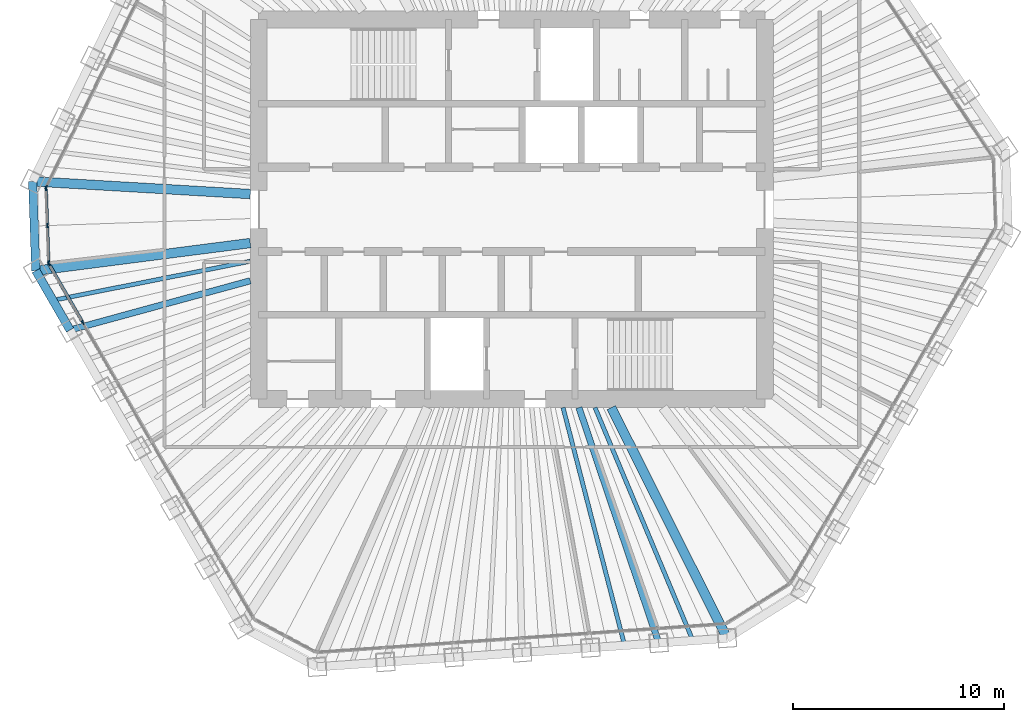
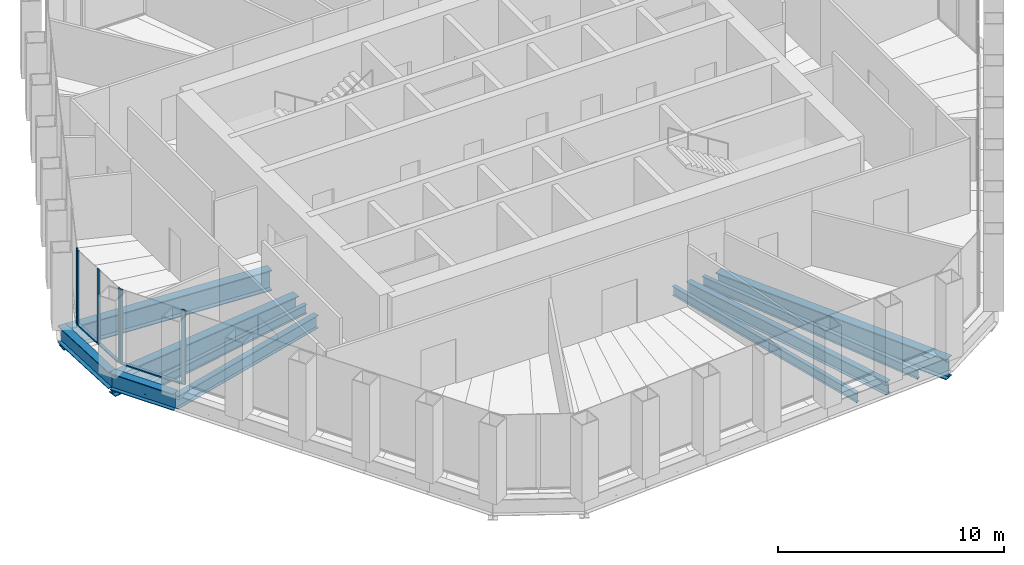
# One storey, part 3 of 15: 10 beams, 9 members, 3 elements without a shape of their own.
"""IFC4 building model written with IfcOpenShell, lengths in metres."""

from ifc_helpers import new_model, si_unit, direction, frame, origin, origin_2d, place, context, subcontext, project, spatial, rectangle, i_section, extrude, material, material_profile, profile_set, type_object, element, aggregate, save


model = new_model("IFC4")

# Units and contexts
model_context = context("Model", 3, precision=1e-05, world=origin(), true_north=direction((0.0, 1.0)))
body_context = subcontext(model_context, "Body", "Model", "MODEL_VIEW")
ifc_project = project(units=[si_unit("LENGTHUNIT", "METRE"), si_unit("AREAUNIT", "SQUARE_METRE"), si_unit("VOLUMEUNIT", "CUBIC_METRE"), si_unit("PLANEANGLEUNIT", "RADIAN"), si_unit("MASSUNIT", "GRAM", prefix="KILO")], contexts=[model_context])

# Site, building, storey
site_placement = place(None, origin())
site = spatial("IfcSite", under=ifc_project, at=site_placement, CompositionType="ELEMENT")
building_placement = place(site_placement, origin())
building = spatial("IfcBuilding", under=site, at=building_placement, Name="Qingtian Harvest Tower", CompositionType="ELEMENT")
storey_placement = place(building_placement, frame((0.0, 0.0, 312.39990234375)))
storey = spatial("IfcBuildingStorey", under=building, at=storey_placement, Name="L69", CompositionType="ELEMENT", Elevation=312.39990234375)

# Beams
ifc_material_1 = material(Name="Steel SM570MC", Category="steel")
ifc_material_profile_1 = material_profile(ifc_material_1, i_section(OverallWidth=0.449951171875, OverallDepth=1.10009765625, WebThickness=0.02197265625, FlangeThickness=0.044921875, at=origin_2d()), Name="H1100x450x22x45")
ifc_profile_set_1 = profile_set([ifc_material_profile_1], Name="Steel SM570MC")
beam_type_1 = type_object("IfcBeamType", Name="Corner floor beam FB8 H1100x450x22x45", PredefinedType="BEAM", material=ifc_profile_set_1)
beam_1_placement = place(storey_placement, frame((10.20947265625, -20.33740234375, -0.719970703125), z_axis=(-0.448649335107, 0.893707879627, 0.0), x_axis=(-0.893707879627, -0.448649335107, 0.0)))
element("IfcBeam", 1, at=beam_1_placement, inside=storey, type_object=beam_type_1, Name="Floor beam FB8 S0", PredefinedType="BEAM", context=body_context, shape_type="SweptSolid", body=[
    extrude(i_section(OverallWidth=0.449951171875, OverallDepth=1.10009765625, WebThickness=0.02197265625, FlangeThickness=0.044921875, at=origin_2d()), origin(), (0.0, 0.0, 1.0), 12.23828125),
])
beam_2_placement = place(storey_placement, frame((-22.569580078125, -2.908447265625, -0.719970703125), z_axis=(0.991798519758, 0.127811174026, 0.0), x_axis=(-0.127811174026, 0.991798519758, 0.0)))
element("IfcBeam", 2, at=beam_2_placement, inside=storey, type_object=beam_type_1, Name="Floor beam FB8 SW6", PredefinedType="BEAM", context=body_context, shape_type="SweptSolid", body=[
    extrude(i_section(OverallWidth=0.449951171875, OverallDepth=1.10009765625, WebThickness=0.02197265625, FlangeThickness=0.044921875, at=origin_2d()), origin(), (0.0, 0.0, 1.0), 10.253662109375),
])
beam_3_placement = place(storey_placement, frame((-22.71728515625, 1.3271484375, -0.719970703125), z_axis=(0.998297672445, -0.058324584791, 0.0), x_axis=(0.058324584791, 0.998297672445, 0.0)))
element("IfcBeam", 3, at=beam_3_placement, inside=storey, type_object=beam_type_1, Name="Floor beam FB8 NW0", PredefinedType="BEAM", context=body_context, shape_type="SweptSolid", body=[
    extrude(i_section(OverallWidth=0.449951171875, OverallDepth=1.10009765625, WebThickness=0.02197265625, FlangeThickness=0.044921875, at=origin_2d()), origin(), (0.0, 0.0, 1.0), 10.3349609375),
])
ifc_material_2 = material(Name="Steel SN490B", Category="steel")
ifc_material_profile_2 = material_profile(ifc_material_2, i_section(OverallWidth=0.300048828125, OverallDepth=0.699951171875, WebThickness=0.012939453125, FlangeThickness=0.02392578125, at=origin_2d()), Name="H700x300x13x24")
ifc_profile_set_2 = profile_set([ifc_material_profile_2], Name="Steel SN490B")
beam_type_2 = type_object("IfcBeamType", Name="Floor beam FB4 H700x300x13x24", PredefinedType="BEAM", material=ifc_profile_set_2)
beam_4_placement = place(storey_placement, frame((6.96923828125, -20.56396484375, -0.52001953125), z_axis=(-0.320964658262, 0.947091172035, 0.0), x_axis=(-0.947091172035, -0.320964658262, 0.0)))
element("IfcBeam", 4, at=beam_4_placement, inside=storey, type_object=beam_type_2, Name="Floor beam FB4 S1", PredefinedType="BEAM", context=body_context, shape_type="SweptSolid", body=[
    extrude(i_section(OverallWidth=0.300048828125, OverallDepth=0.699951171875, WebThickness=0.012939453125, FlangeThickness=0.02392578125, at=origin_2d()), origin(), (0.0, 0.0, 1.0), 11.787841796875),
])
beam_5_placement = place(storey_placement, frame((-20.945556640625, -5.721435546875, -0.52001953125), z_axis=(0.96466071762, 0.26349516102, 0.0), x_axis=(-0.26349516102, 0.96466071762, 0.0)))
element("IfcBeam", 5, at=beam_5_placement, inside=storey, type_object=beam_type_2, Name="Floor beam FB4 SW5", PredefinedType="BEAM", context=body_context, shape_type="SweptSolid", body=[
    extrude(i_section(OverallWidth=0.300048828125, OverallDepth=0.699951171875, WebThickness=0.012939453125, FlangeThickness=0.02392578125, at=origin_2d()), origin(), (0.0, 0.0, 1.0), 8.858642578125),
])
ifc_material_3 = material(Name="Steel SN490B", Category="steel")
ifc_material_profile_3 = material_profile(ifc_material_3, i_section(OverallWidth=0.199951171875, OverallDepth=0.5, WebThickness=0.010009765625, FlangeThickness=0.01611328125, at=origin_2d()), Name="H500x200x10x16")
ifc_profile_set_3 = profile_set([ifc_material_profile_3], Name="Steel SN490B")
beam_type_3 = type_object("IfcBeamType", Name="Floor joist J3 H500x200x10x16", PredefinedType="JOIST", material=ifc_profile_set_3)
beam_6_placement = place(storey_placement, frame((8.58935546875, -20.45068359375, -0.419921875), z_axis=(-0.387234562114, 0.921981232946, 0.0), x_axis=(-0.921981232946, -0.387234562114, 0.0)))
element("IfcBeam", 6, at=beam_6_placement, inside=storey, type_object=beam_type_3, Name="Floor joist J3 S0", PredefinedType="JOIST", context=body_context, shape_type="SweptSolid", body=[
    extrude(i_section(OverallWidth=0.199951171875, OverallDepth=0.5, WebThickness=0.010009765625, FlangeThickness=0.01611328125, at=origin_2d()), origin(), (0.0, 0.0, 1.0), 11.98583984375),
])
beam_7_placement = place(storey_placement, frame((5.349365234375, -20.67724609375, -0.419921875), z_axis=(-0.250457336117, 0.968127637652, 0.0), x_axis=(-0.968127637652, -0.250457336117, 0.0)))
element("IfcBeam", 7, at=beam_7_placement, inside=storey, type_object=beam_type_3, Name="Floor joist J3 S1", PredefinedType="JOIST", context=body_context, shape_type="SweptSolid", body=[
    extrude(i_section(OverallWidth=0.199951171875, OverallDepth=0.5, WebThickness=0.010009765625, FlangeThickness=0.01611328125, at=origin_2d()), origin(), (0.0, 0.0, 1.0), 11.648681640625),
])
beam_8_placement = place(storey_placement, frame((-21.757568359375, -4.31494140625, -0.419921875), z_axis=(0.980898289228, 0.194521325796, 0.0), x_axis=(-0.194521325796, 0.980898289228, 0.0)))
element("IfcBeam", 8, at=beam_8_placement, inside=storey, type_object=beam_type_3, Name="Floor joist J3 SW5", PredefinedType="JOIST", context=body_context, shape_type="SweptSolid", body=[
    extrude(i_section(OverallWidth=0.199951171875, OverallDepth=0.5, WebThickness=0.010009765625, FlangeThickness=0.01611328125, at=origin_2d()), origin(), (0.0, 0.0, 1.0), 9.539794921875),
])

# Curtain wall, members
ifc_material_4 = material(Name="Bronze-anodised aluminium curtain wall", Category="aluminium")
curtain_wall_type = type_object("IfcCurtainWallType", Name="Curtain wall CW5 upper office", PredefinedType="USERDEFINED", material=ifc_material_4)
curtain_wall_1_placement = place(storey_placement, origin())
curtain_wall_1 = element("IfcCurtainWall", 9, at=curtain_wall_1_placement, inside=storey, type_object=curtain_wall_type, Name="Curtain wall CW5 L69 SW0-5", ObjectType="RECESSED CURTAIN WALL", PredefinedType="USERDEFINED")
ifc_material_5 = material(Name="Bronze-anodised aluminium mullion", Category="aluminium")
ifc_material_profile_4 = material_profile(ifc_material_5, rectangle(XDim=0.06494140625, YDim=0.199951171875, at=origin_2d()), Name="AL 65x200")
ifc_profile_set_4 = profile_set([ifc_material_profile_4], Name="Bronze-anodised aluminium mullion")
member_type_1 = type_object("IfcMemberType", Name="Mullion CWM 65x200", PredefinedType="MULLION", material=ifc_profile_set_4)
member_1_placement = place(storey_placement, frame((-20.33935546875, -5.371337890625, 0.0), z_axis=(0.0, 0.0, 1.0), x_axis=(-0.866025403784, -0.5, 0.0)))
member_1 = element("IfcMember", 10, at=member_1_placement, type_object=member_type_1, Name="CW5 mullion 6", PredefinedType="MULLION", context=body_context, shape_type="SweptSolid", body=[
    extrude(rectangle(XDim=0.06494140625, YDim=0.199951171875, at=origin_2d()), origin(), (0.0, 0.0, 1.0), 4.030029296875),
])
member_2_placement = place(storey_placement, frame((-21.947021484375, -2.586669921875, 0.0), z_axis=(0.0, 0.0, 1.0), x_axis=(-0.866025403784, -0.5, 0.0)))
member_2 = element("IfcMember", 11, at=member_2_placement, type_object=member_type_1, Name="CW5 mullion 7", PredefinedType="MULLION", context=body_context, shape_type="SweptSolid", body=[
    extrude(rectangle(XDim=0.06494140625, YDim=0.199951171875, at=origin_2d()), origin(), (0.0, 0.0, 1.0), 4.030029296875),
])

curtain_wall_2_placement = place(storey_placement, origin())
curtain_wall_2 = element("IfcCurtainWall", 12, at=curtain_wall_2_placement, inside=storey, type_object=curtain_wall_type, Name="Curtain wall CW5 L69 SWC", ObjectType="RECESSED CURTAIN WALL", PredefinedType="USERDEFINED")
member_3_placement = place(storey_placement, frame((-21.96435546875, -2.526123046875, 0.0), z_axis=(0.0, 0.0, 1.0), x_axis=(-0.999390827019, -0.034899496703, 0.0)))
member_3 = element("IfcMember", 13, at=member_3_placement, type_object=member_type_1, Name="CW5 mullion 1", PredefinedType="MULLION", context=body_context, shape_type="SweptSolid", body=[
    extrude(rectangle(XDim=0.06494140625, YDim=0.199951171875, at=origin_2d()), origin(), (0.0, 0.0, 1.0), 4.030029296875),
])
member_4_placement = place(storey_placement, frame((-22.025634765625, -0.76904296875, 0.0), z_axis=(0.0, 0.0, 1.0), x_axis=(-0.999390827019, -0.034899496703, 0.0)))
member_4 = element("IfcMember", 14, at=member_4_placement, type_object=member_type_1, Name="CW5 mullion 2", PredefinedType="MULLION", context=body_context, shape_type="SweptSolid", body=[
    extrude(rectangle(XDim=0.06494140625, YDim=0.199951171875, at=origin_2d()), origin(), (0.0, 0.0, 1.0), 4.030029296875),
])
member_5_placement = place(storey_placement, frame((-22.087158203125, 0.98779296875, 0.0), z_axis=(0.0, 0.0, 1.0), x_axis=(-0.999390827019, -0.034899496703, 0.0)))
member_5 = element("IfcMember", 15, at=member_5_placement, type_object=member_type_1, Name="CW5 mullion 3", PredefinedType="MULLION", context=body_context, shape_type="SweptSolid", body=[
    extrude(rectangle(XDim=0.06494140625, YDim=0.199951171875, at=origin_2d()), origin(), (0.0, 0.0, 1.0), 4.030029296875),
])

# Curtain wall, member
curtain_wall_3_placement = place(storey_placement, origin())
curtain_wall_3 = element("IfcCurtainWall", 16, at=curtain_wall_3_placement, inside=storey, type_object=curtain_wall_type, Name="Curtain wall CW5 L69 NW0-5", ObjectType="RECESSED CURTAIN WALL", PredefinedType="USERDEFINED")
member_6_placement = place(storey_placement, frame((-22.073974609375, 1.04931640625, 0.0), z_axis=(0.0, 0.0, 1.0), x_axis=(-0.898794046299, 0.438371146789, 0.0)))
member_6 = element("IfcMember", 17, at=member_6_placement, type_object=member_type_1, Name="CW5 mullion 1", PredefinedType="MULLION", context=body_context, shape_type="SweptSolid", body=[
    extrude(rectangle(XDim=0.06494140625, YDim=0.199951171875, at=origin_2d()), origin(), (0.0, 0.0, 1.0), 4.030029296875),
])
aggregate(curtain_wall_3, [member_6])

# Beams
ifc_material_6 = material(Name="Steel SN490B", Category="steel")
ifc_material_profile_5 = material_profile(ifc_material_6, i_section(OverallWidth=0.39990234375, OverallDepth=0.89990234375, WebThickness=0.01904296875, FlangeThickness=0.035888671875, at=origin_2d()), Name="H900x400x19x36")
ifc_profile_set_5 = profile_set([ifc_material_profile_5], Name="Steel SN490B")
beam_type_4 = type_object("IfcBeamType", Name="Spandrel beam SB4 H900x400x19x36", PredefinedType="SPANDREL", material=ifc_profile_set_5)
beam_9_placement = place(storey_placement, frame((-20.945556640625, -5.721435546875, -0.449951171875), z_axis=(-0.499987045439, 0.866032882975, 0.0), x_axis=(-0.866032882975, -0.499987045439, 0.0)))
element("IfcBeam", 18, at=beam_9_placement, inside=storey, type_object=beam_type_4, Name="Spandrel SB4 SW5", PredefinedType="SPANDREL", context=body_context, shape_type="SweptSolid", body=[
    extrude(i_section(OverallWidth=0.39990234375, OverallDepth=0.89990234375, WebThickness=0.01904296875, FlangeThickness=0.035888671875, at=origin_2d()), origin(), (0.0, 0.0, 1.0), 3.248046875),
])
beam_10_placement = place(storey_placement, frame((-22.569580078125, -2.908447265625, -0.449951171875), z_axis=(-0.034851142499, 0.999392514414, 0.0), x_axis=(-0.999392514414, -0.034851142499, 0.0)))
element("IfcBeam", 19, at=beam_10_placement, inside=storey, type_object=beam_type_4, Name="Spandrel SB4 SWC", PredefinedType="SPANDREL", context=body_context, shape_type="SweptSolid", body=[
    extrude(i_section(OverallWidth=0.39990234375, OverallDepth=0.89990234375, WebThickness=0.01904296875, FlangeThickness=0.035888671875, at=origin_2d()), origin(), (0.0, 0.0, 1.0), 4.23828125),
])

# Member
ifc_material_7 = material(Name="Bronze-anodised aluminium transom", Category="aluminium")
ifc_material_profile_6 = material_profile(ifc_material_7, rectangle(XDim=0.14990234375, YDim=0.06494140625, at=origin_2d()), Name="AL 65x150")
ifc_profile_set_6 = profile_set([ifc_material_profile_6], Name="Bronze-anodised aluminium transom")
member_type_2 = type_object("IfcMemberType", Name="Transom CWT 65x150", PredefinedType="USERDEFINED", material=ifc_profile_set_6)
member_7_placement = place(storey_placement, frame((-20.35546875, -5.34326171875, 0.03271484375), z_axis=(-0.499972881236, 0.866041060244, 0.0), x_axis=(-0.866041060244, -0.499972881236, 0.0)))
member_7 = element("IfcMember", 20, at=member_7_placement, type_object=member_type_2, Name="CW5 transom 6.1", ObjectType="TRANSOM", PredefinedType="USERDEFINED", context=body_context, shape_type="SweptSolid", body=[
    extrude(rectangle(XDim=0.14990234375, YDim=0.06494140625, at=origin_2d()), origin(), (0.0, 0.0, 1.0), 3.150634765625),
])

aggregate(curtain_wall_1, [member_1, member_2, member_7])

member_8_placement = place(storey_placement, frame((-21.965576171875, -2.49365234375, 0.03271484375), z_axis=(-0.034899362377, 0.99939083171, 0.0), x_axis=(-0.99939083171, -0.034899362377, 0.0)))
member_8 = element("IfcMember", 21, at=member_8_placement, type_object=member_type_2, Name="CW5 transom 1.1", ObjectType="TRANSOM", PredefinedType="USERDEFINED", context=body_context, shape_type="SweptSolid", body=[
    extrude(rectangle(XDim=0.14990234375, YDim=0.06494140625, at=origin_2d()), origin(), (0.0, 0.0, 1.0), 1.69287109375),
])

member_9_placement = place(storey_placement, frame((-22.02685546875, -0.736572265625, 0.03271484375), z_axis=(-0.034899362377, 0.99939083171, 0.0), x_axis=(-0.99939083171, -0.034899362377, 0.0)))
member_9 = element("IfcMember", 22, at=member_9_placement, type_object=member_type_2, Name="CW5 transom 2.1", ObjectType="TRANSOM", PredefinedType="USERDEFINED", context=body_context, shape_type="SweptSolid", body=[
    extrude(rectangle(XDim=0.14990234375, YDim=0.06494140625, at=origin_2d()), origin(), (0.0, 0.0, 1.0), 1.69287109375),
])

aggregate(curtain_wall_2, [member_3, member_4, member_5, member_8, member_9])

save(model, "model.ifc")
